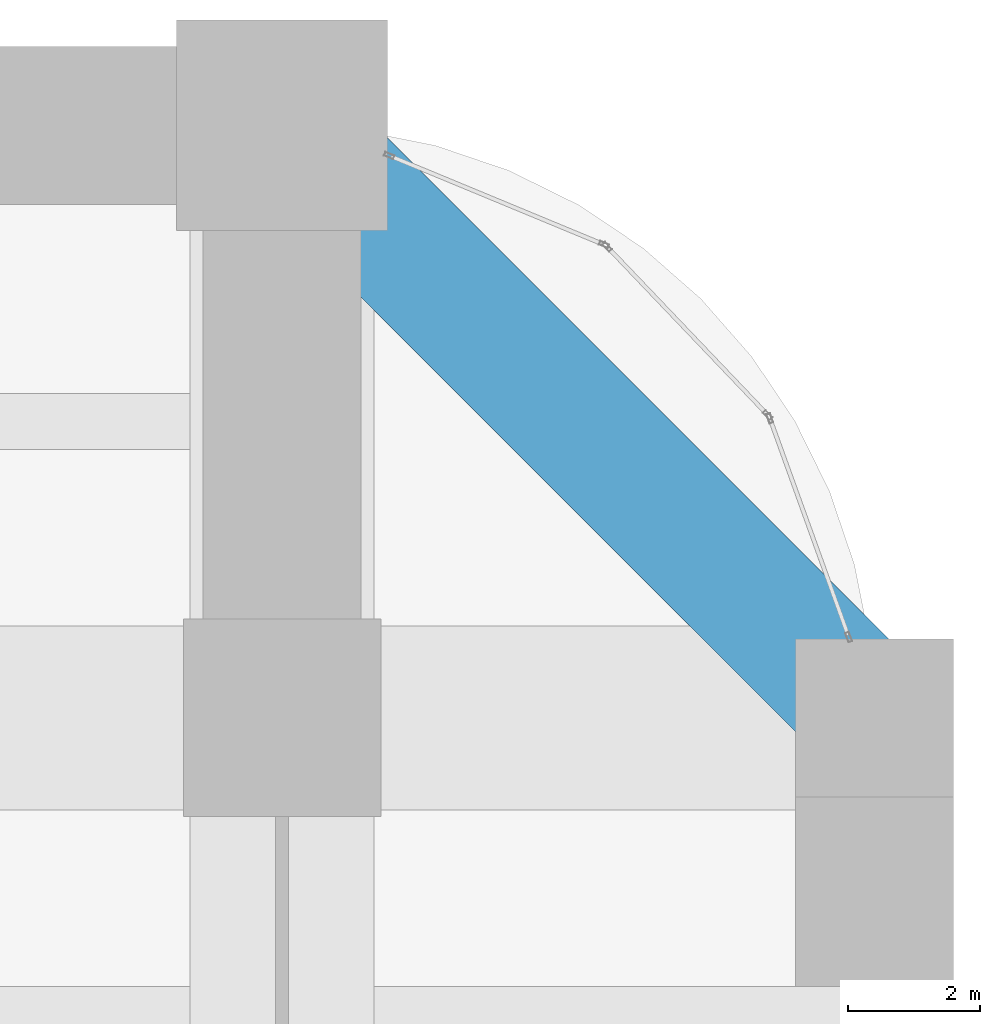
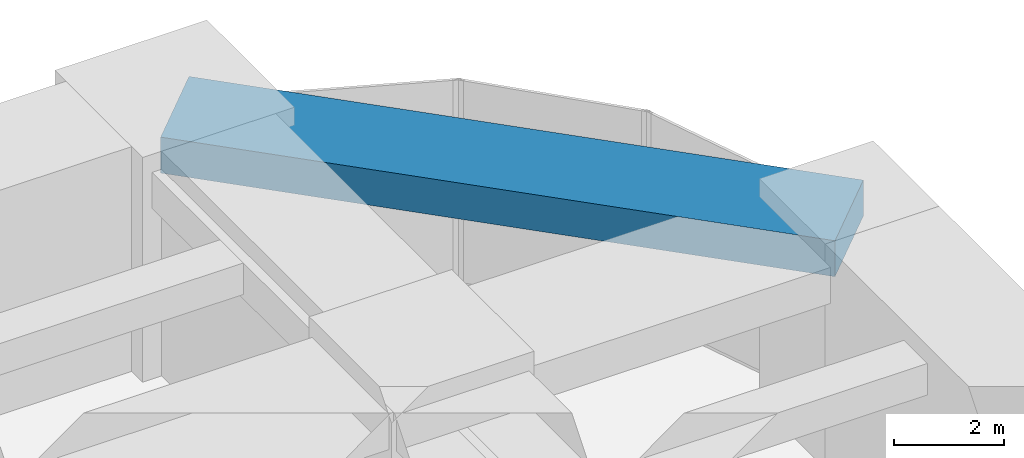
# One storey, part 30 of 35: 1 beam.
"""IFC4 building model written with IfcOpenShell, lengths in metres."""

from ifc_helpers import new_model, si_unit, direction, frame, origin, origin_2d, place, context, subcontext, project, spatial, rectangle, extrude, material, material_profile, profile_set, type_object, element, save


model = new_model("IFC4")

# Units and contexts
model_context = context("Model", 3, precision=1e-05, world=origin(), true_north=direction((0.0, 1.0)))
body_context = subcontext(model_context, "Body", "Model", "MODEL_VIEW")
ifc_project = project(units=[si_unit("LENGTHUNIT", "METRE"), si_unit("AREAUNIT", "SQUARE_METRE"), si_unit("VOLUMEUNIT", "CUBIC_METRE"), si_unit("PLANEANGLEUNIT", "RADIAN"), si_unit("MASSUNIT", "GRAM", prefix="KILO")], contexts=[model_context])

# Site, building, storey
site_placement = place(None, origin())
site = spatial("IfcSite", under=ifc_project, at=site_placement, CompositionType="ELEMENT")
building_placement = place(site_placement, origin())
building = spatial("IfcBuilding", under=site, at=building_placement, Name="Zorevar Civic Tower", CompositionType="ELEMENT")
storey_placement = place(building_placement, frame((0.0, 0.0, 80.0)))
storey = spatial("IfcBuildingStorey", under=building, at=storey_placement, Name="L19", CompositionType="ELEMENT", Elevation=80.0)

# Beam
ifc_material = material(Name="Concrete C50/60", Category="concrete")
ifc_material_profile = material_profile(ifc_material, rectangle(XDim=2.0, YDim=0.800048828125, at=origin_2d()), Name="RC 2000x800")
ifc_profile_set = profile_set([ifc_material_profile], Name="Concrete C50/60")
beam_type = type_object("IfcBeamType", Name="Edge beam RC 2000x800", PredefinedType="SPANDREL", material=ifc_profile_set)
beam_placement = place(storey_placement, frame((63.0, 45.0, 4.199951171875), z_axis=(-0.707106781187, 0.707106781187, 0.0), x_axis=(-0.707106781187, -0.707106781187, 0.0)))
element("IfcBeam", 1, at=beam_placement, inside=storey, type_object=beam_type, Name="Corner edge beam L20", PredefinedType="SPANDREL", context=body_context, shape_type="SweptSolid", body=[
    extrude(rectangle(XDim=2.0, YDim=0.800048828125, at=origin_2d()), origin(), (0.0, 0.0, 1.0), 12.72802734375),
])

save(model, "model.ifc")
